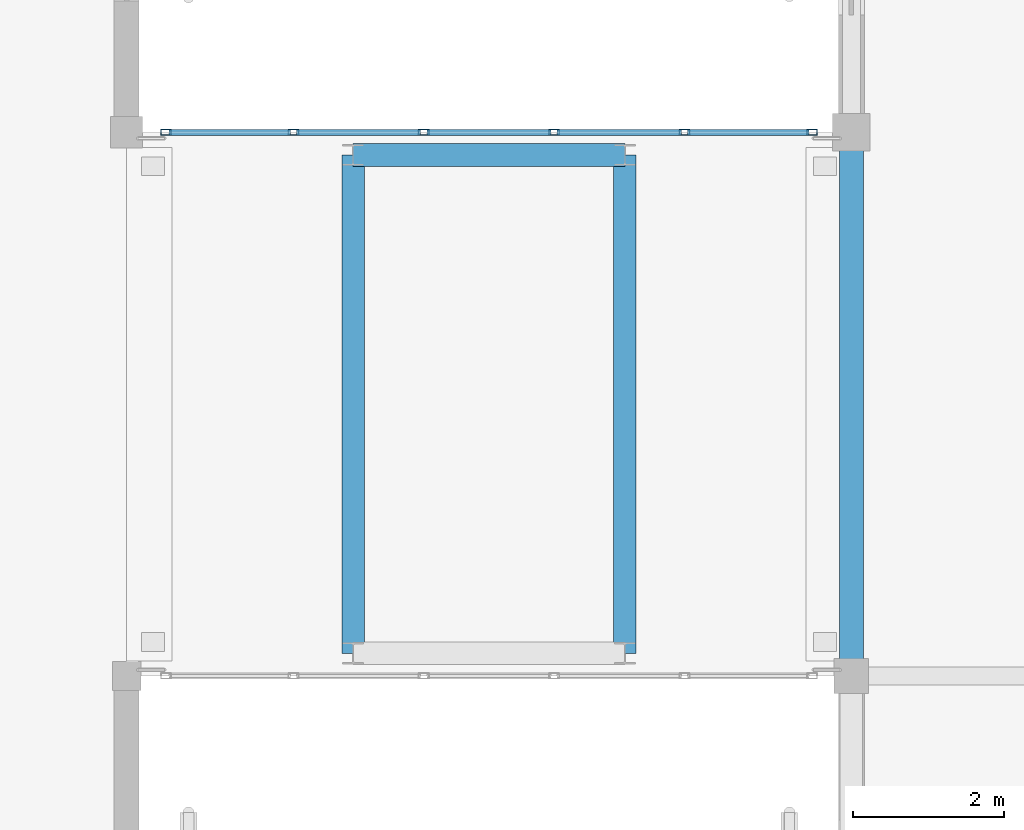
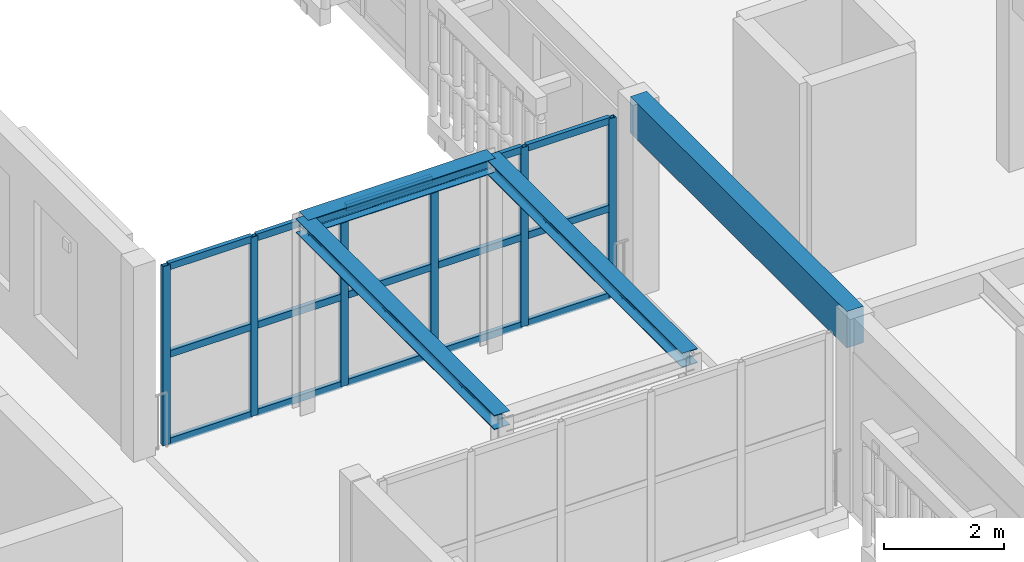
# One storey, part 47 of 217: 21 members, 4 beams, 1 element without a shape of its own.
"""IFC4 building model written with IfcOpenShell, lengths in metres."""

import ifcopenshell
import ifcopenshell.guid

model = None  # the IFC model being written
_history = None  # IfcOwnerHistory: only IFC2X3 demands one
_inside = {}  # id of a spatial element -> (the spatial element, [elements in it])
_under = {}  # id of a project, library or spatial element -> (it, [spatial elements below it])
_declared = {}  # id of a project -> (the project, [libraries it declares])
_typed = {}  # id of a type object -> (the type object, [elements of that type])
_made_of = {}  # id of a material, layer set ... -> (it, [elements and type objects made of it])


def new_model(schema):
    """Start an empty IFC model of exactly this schema.

    Asked for "IFC4X3", IfcOpenShell would pick the latest addendum, in which some entities
    have other attributes; the version numbers below select the first issue.
    IFC2X3 requires an IfcOwnerHistory on every rooted entity: one is made here for all.
    """
    global model, _history
    if schema == "IFC4X3":
        model = ifcopenshell.file(schema_version=(4, 3, 0, 0))
    else:
        model = ifcopenshell.file(schema=schema)
    _inside.clear()
    _under.clear()
    _declared.clear()
    _typed.clear()
    _made_of.clear()
    _history = None
    if model.schema == "IFC2X3":
        org = make("IfcOrganization", Name="unknown")
        user = make(
            "IfcPersonAndOrganization",
            ThePerson=make("IfcPerson", FamilyName="unknown"),
            TheOrganization=org,
        )
        app = make(
            "IfcApplication",
            ApplicationDeveloper=org,
            Version="unknown",
            ApplicationFullName="unknown",
            ApplicationIdentifier="unknown",
        )
        _history = make(
            "IfcOwnerHistory",
            OwningUser=user,
            OwningApplication=app,
            ChangeAction="ADDED",
            CreationDate=0,
        )
    return model


def make(cls, **values):
    """One entity of the class cls with the attributes given. An attribute that is None is left unset."""
    return model.create_entity(
        cls, **{name: value for name, value in values.items() if value is not None}
    )


def rooted(cls, **values):
    """An entity with a GlobalId (a new one), such as an element, a storey or a relation."""
    return make(cls, GlobalId=ifcopenshell.guid.new(), OwnerHistory=_history, **values)


def si_unit(unit_type, name, prefix=None):
    """IfcSIUnit, for example si_unit("LENGTHUNIT", "METRE", prefix="MILLI")."""
    return make("IfcSIUnit", UnitType=unit_type, Prefix=prefix, Name=name)


def assignment(units):
    """IfcUnitAssignment: the units of a project."""
    return None if units is None else make("IfcUnitAssignment", Units=units)


def point(xyz):
    """IfcCartesianPoint."""
    return None if xyz is None else make("IfcCartesianPoint", Coordinates=xyz)


def direction(xyz):
    """IfcDirection."""
    return None if xyz is None else make("IfcDirection", DirectionRatios=xyz)


def frame(location, z_axis=None, x_axis=None):
    """IfcAxis2Placement3D, a coordinate frame: its origin and axes. An axis left out is left unset."""
    return make(
        "IfcAxis2Placement3D",
        Location=point(location),
        Axis=direction(z_axis),
        RefDirection=direction(x_axis),
    )


def frame_2d(location, x_axis=None):
    """IfcAxis2Placement2D, a coordinate frame in the plane: its origin and x axis."""
    return make(
        "IfcAxis2Placement2D", Location=point(location), RefDirection=direction(x_axis)
    )


def origin():
    """The frame at (0, 0, 0) with its axes left unset."""
    return frame((0.0, 0.0, 0.0))


def origin_2d():
    """The frame at (0, 0) in the plane with its x axis left unset."""
    return frame_2d((0.0, 0.0))


def place(relative_to, where):
    """IfcLocalPlacement: puts the frame where relative to a parent placement (None: the world)."""
    return make(
        "IfcLocalPlacement", PlacementRelTo=relative_to, RelativePlacement=where
    )


def context(
    kind, dimensions, precision=None, world=None, true_north=None, identifier=None
):
    """IfcGeometricRepresentationContext, for example the 3D "Model" context."""
    return make(
        "IfcGeometricRepresentationContext",
        ContextIdentifier=identifier,
        ContextType=kind,
        CoordinateSpaceDimension=dimensions,
        Precision=precision,
        WorldCoordinateSystem=world,
        TrueNorth=true_north,
    )


def subcontext(parent, identifier, kind, view, scale=None):
    """IfcGeometricRepresentationSubContext, for example "Body" below "Model"."""
    return make(
        "IfcGeometricRepresentationSubContext",
        ContextIdentifier=identifier,
        ContextType=kind,
        ParentContext=parent,
        TargetScale=scale,
        TargetView=view,
    )


def project(units=None, contexts=None):
    """IfcProject with its units and contexts."""
    return rooted(
        "IfcProject",
        Name="project",
        RepresentationContexts=contexts,
        UnitsInContext=assignment(units),
    )


def spatial(cls, under=None, at=None, **own):
    """A site, building, storey or space (cls), placed at a placement, below another one or the project."""
    s = rooted(cls, ObjectPlacement=at, **own)
    if under is not None:
        _under.setdefault(under.id(), (under, []))[1].append(s)
    return s


def profile(cls, at=None, kind="AREA", **sizes):
    """A parametric profile (cls). Its sizes go by their IFC names, for example OverallWidth=200.0."""
    return make(cls, ProfileType=kind, Position=at, **sizes)


def rectangle(**sizes):
    """IfcRectangleProfileDef."""
    return profile("IfcRectangleProfileDef", **sizes)


def hollow_rectangle(**sizes):
    """IfcRectangleHollowProfileDef."""
    return profile("IfcRectangleHollowProfileDef", **sizes)


def i_section(**sizes):
    """IfcIShapeProfileDef."""
    return profile("IfcIShapeProfileDef", **sizes)


def extrude(swept, where, along, depth):
    """IfcExtrudedAreaSolid: the profile swept, set in the frame where, extruded along a direction by depth."""
    return make(
        "IfcExtrudedAreaSolid",
        SweptArea=swept,
        Position=where,
        ExtrudedDirection=direction(along),
        Depth=depth,
    )


def shape(context_of_items, identifier, shape_type, items):
    """IfcShapeRepresentation: the items that make up one representation, for example the "Body"."""
    return make(
        "IfcShapeRepresentation",
        ContextOfItems=context_of_items,
        RepresentationIdentifier=identifier,
        RepresentationType=shape_type,
        Items=items,
    )


def material(Name=None, Category=None):
    """IfcMaterial."""
    return make("IfcMaterial", Name=Name, Category=Category)


def layer(
    of_material, thickness, ventilated=None, Name=None, Category=None, Priority=None
):
    """IfcMaterialLayer: one layer of a wall or slab, of a material (None: an air gap)."""
    return make(
        "IfcMaterialLayer",
        Material=of_material,
        LayerThickness=thickness,
        IsVentilated=ventilated,
        Name=Name,
        Category=Category,
        Priority=Priority,
    )


def layer_set(layers, Name=None):
    """IfcMaterialLayerSet."""
    return make("IfcMaterialLayerSet", MaterialLayers=layers, LayerSetName=Name)


def material_profile(
    of_material, cross_section, Name=None, Category=None, Priority=None
):
    """IfcMaterialProfile: a cross section and its material."""
    return make(
        "IfcMaterialProfile",
        Name=Name,
        Material=of_material,
        Profile=cross_section,
        Priority=Priority,
        Category=Category,
    )


def profile_set(profiles, Name=None, composite=None):
    """IfcMaterialProfileSet."""
    return make(
        "IfcMaterialProfileSet",
        Name=Name,
        MaterialProfiles=profiles,
        CompositeProfile=composite,
    )


def made_of(thing, what):
    """Note that an element or type object is made of a material, layer set ...; save() writes the relation."""
    if what is not None:
        _made_of.setdefault(what.id(), (what, []))[1].append(thing)
    return thing


def type_object(cls, material=None, **own):
    """A type object (cls), such as IfcWallType, which elements share."""
    return made_of(rooted(cls, **own), material)


def element(
    cls,
    number,
    at=None,
    inside=None,
    cuts=None,
    type_object=None,
    material=None,
    context=None,
    identifier="Body",
    shape_type=None,
    held_by="IfcProductDefinitionShape",
    body=None,
    shapes=None,
    **own,
):
    """One element of the class cls, such as IfcWall. Its Tag is "e" and its number.

    at: its placement. inside: the storey or other place that contains it. cuts: it is an
    opening in that element (IfcRelVoidsElement). A single representation is given by context,
    identifier, shape_type and body (its items); several are given by shapes. held_by: the class
    of the entity that holds the representations. save() writes the other relations.
    """
    e = rooted(cls, Tag="e%d" % number, ObjectPlacement=at, **own)
    if body is not None:
        shapes = [shape(context, identifier, shape_type, body)]
    if shapes is not None:
        e.Representation = make(held_by, Representations=shapes)
    if inside is not None:
        _inside.setdefault(inside.id(), (inside, []))[1].append(e)
    if cuts is not None:
        rooted(
            "IfcRelVoidsElement", RelatingBuildingElement=cuts, RelatedOpeningElement=e
        )
    if type_object is not None:
        _typed.setdefault(type_object.id(), (type_object, []))[1].append(e)
    return made_of(e, material)


def aggregate(whole, parts):
    """IfcRelAggregates: a whole, such as a stair, and the parts it consists of."""
    return rooted("IfcRelAggregates", RelatingObject=whole, RelatedObjects=parts)


def save(model, path):
    """Write the relations noted so far, then the file.

    IfcRelAggregates (storeys below a building ...), IfcRelContainedInSpatialStructure (elements
    in a storey), IfcRelDefinesByType, IfcRelAssociatesMaterial and IfcRelDeclares: one each for
    every whole, place, type object, material and project.
    """
    for whole, parts in _under.values():
        aggregate(whole, parts)
    for where, things in _inside.values():
        rooted(
            "IfcRelContainedInSpatialStructure",
            RelatedElements=things,
            RelatingStructure=where,
        )
    for kind, things in _typed.values():
        rooted("IfcRelDefinesByType", RelatedObjects=things, RelatingType=kind)
    for what, things in _made_of.values():
        rooted("IfcRelAssociatesMaterial", RelatedObjects=things, RelatingMaterial=what)
    for by, libraries in _declared.values():
        rooted("IfcRelDeclares", RelatingContext=by, RelatedDefinitions=libraries)
    model.write(path)


model = new_model("IFC4")

# Units and contexts
model_context = context("Model", 3, precision=1e-05, world=origin(), true_north=direction((0.0, 1.0)))
body_context = subcontext(model_context, "Body", "Model", "MODEL_VIEW")
ifc_project = project(units=[si_unit("LENGTHUNIT", "METRE"), si_unit("AREAUNIT", "SQUARE_METRE"), si_unit("VOLUMEUNIT", "CUBIC_METRE"), si_unit("PLANEANGLEUNIT", "RADIAN"), si_unit("MASSUNIT", "GRAM", prefix="KILO")], contexts=[model_context])

# Site, building, storey
site_placement = place(None, origin())
site = spatial("IfcSite", under=ifc_project, at=site_placement, CompositionType="ELEMENT")
building_placement = place(site_placement, origin())
building = spatial("IfcBuilding", under=site, at=building_placement, Name="Mazaris Harbour Polytechnic", CompositionType="ELEMENT")
storey_placement = place(building_placement, frame((0.0, 0.0, 9.60009765625)))
storey = spatial("IfcBuildingStorey", under=building, at=storey_placement, Name="L02", CompositionType="ELEMENT", Elevation=9.60009765625)

# Curtain wall, members
ifc_material_1 = material(Name="Anodised Bronze Aluminium and Low-E Glass", Category="aluminium")
ifc_layer = layer(ifc_material_1, 0.139892578125, Name="Anodised Bronze Aluminium and Low-E Glass")
ifc_layer_set = layer_set([ifc_layer], Name="Anodised Bronze Aluminium and Low-E Glass")
curtain_wall_type = type_object("IfcCurtainWallType", Name="Seismic Link Bridge Glazing", PredefinedType="NOTDEFINED", material=ifc_layer_set)
curtain_wall_placement = place(storey_placement, origin())
curtain_wall = element("IfcCurtainWall", 1, at=curtain_wall_placement, inside=storey, type_object=curtain_wall_type, Name="PB-E1 L02 Bridge Glazing", PredefinedType="NOTDEFINED")
ifc_material_2 = material(Name="Anodised Bronze Steel S355", Category="steel")
ifc_material_profile_1 = material_profile(ifc_material_2, hollow_rectangle(XDim=0.080078125, YDim=0.139892578125, WallThickness=0.00634765625, at=origin_2d()), Name="RHS 80x140x6.3")
ifc_profile_set_1 = profile_set([ifc_material_profile_1], Name="Anodised Bronze Steel S355")
member_type_1 = type_object("IfcMemberType", Name="Curtain Mullion RHS80x140", PredefinedType="MULLION", material=ifc_profile_set_1)
member_1_placement = place(storey_placement, frame((121.8798828125, 28.800048828125, 0.0), z_axis=(0.0, 0.0, 1.0), x_axis=(0.0, -1.0, 0.0)))
member_1 = element("IfcMember", 2, at=member_1_placement, type_object=member_type_1, Name="CW-05 mullion 1", PredefinedType="MULLION", context=body_context, shape_type="SweptSolid", body=[
    extrude(hollow_rectangle(XDim=0.080078125, YDim=0.139892578125, WallThickness=0.00634765625, at=origin_2d()), origin(), (0.0, 0.0, 1.0), 3.635009765625),
])
member_2_placement = place(storey_placement, frame((120.19189453125, 28.800048828125, 0.0), z_axis=(0.0, 0.0, 1.0), x_axis=(0.0, -1.0, 0.0)))
member_2 = element("IfcMember", 3, at=member_2_placement, type_object=member_type_1, Name="CW-05 mullion 2", PredefinedType="MULLION", context=body_context, shape_type="SweptSolid", body=[
    extrude(hollow_rectangle(XDim=0.080078125, YDim=0.139892578125, WallThickness=0.00634765625, at=origin_2d()), origin(), (0.0, 0.0, 1.0), 3.635009765625),
])
member_3_placement = place(storey_placement, frame((118.464111328125, 28.800048828125, 0.0), z_axis=(0.0, 0.0, 1.0), x_axis=(0.0, -1.0, 0.0)))
member_3 = element("IfcMember", 4, at=member_3_placement, type_object=member_type_1, Name="CW-05 mullion 3", PredefinedType="MULLION", context=body_context, shape_type="SweptSolid", body=[
    extrude(hollow_rectangle(XDim=0.080078125, YDim=0.139892578125, WallThickness=0.00634765625, at=origin_2d()), origin(), (0.0, 0.0, 1.0), 3.635009765625),
])
member_4_placement = place(storey_placement, frame((116.736083984375, 28.800048828125, 0.0), z_axis=(0.0, 0.0, 1.0), x_axis=(0.0, -1.0, 0.0)))
member_4 = element("IfcMember", 5, at=member_4_placement, type_object=member_type_1, Name="CW-05 mullion 4", PredefinedType="MULLION", context=body_context, shape_type="SweptSolid", body=[
    extrude(hollow_rectangle(XDim=0.080078125, YDim=0.139892578125, WallThickness=0.00634765625, at=origin_2d()), origin(), (0.0, 0.0, 1.0), 3.635009765625),
])
member_5_placement = place(storey_placement, frame((115.008056640625, 28.800048828125, 0.0), z_axis=(0.0, 0.0, 1.0), x_axis=(0.0, -1.0, 0.0)))
member_5 = element("IfcMember", 6, at=member_5_placement, type_object=member_type_1, Name="CW-05 mullion 5", PredefinedType="MULLION", context=body_context, shape_type="SweptSolid", body=[
    extrude(hollow_rectangle(XDim=0.080078125, YDim=0.139892578125, WallThickness=0.00634765625, at=origin_2d()), origin(), (0.0, 0.0, 1.0), 3.635009765625),
])
member_6_placement = place(storey_placement, frame((113.320068359375, 28.800048828125, 0.0), z_axis=(0.0, 0.0, 1.0), x_axis=(0.0, -1.0, 0.0)))
member_6 = element("IfcMember", 7, at=member_6_placement, type_object=member_type_1, Name="CW-05 mullion 6", PredefinedType="MULLION", context=body_context, shape_type="SweptSolid", body=[
    extrude(hollow_rectangle(XDim=0.080078125, YDim=0.139892578125, WallThickness=0.00634765625, at=origin_2d()), origin(), (0.0, 0.0, 1.0), 3.635009765625),
])
ifc_material_3 = material(Name="Anodised Bronze Steel S355", Category="steel")
ifc_material_profile_2 = material_profile(ifc_material_3, hollow_rectangle(XDim=0.080078125, YDim=0.139892578125, WallThickness=0.00634765625, at=origin_2d()), Name="RHS 80x140x6.3")
ifc_profile_set_2 = profile_set([ifc_material_profile_2], Name="Anodised Bronze Steel S355")
member_type_2 = type_object("IfcMemberType", Name="Curtain Transom RHS80x140", PredefinedType="USERDEFINED", material=ifc_profile_set_2)
member_7_placement = place(storey_placement, frame((121.840087890625, 28.800048828125, 0.039794921875), z_axis=(-1.0, 0.0, 0.0), x_axis=(0.0, -1.0, 0.0)))
member_7 = element("IfcMember", 8, at=member_7_placement, type_object=member_type_2, Name="CW-05 transom 1.1", ObjectType="TRANSOM", PredefinedType="USERDEFINED", context=body_context, shape_type="SweptSolid", body=[
    extrude(hollow_rectangle(XDim=0.080078125, YDim=0.139892578125, WallThickness=0.00634765625, at=origin_2d()), origin(), (0.0, 0.0, 1.0), 1.608154296875),
])
member_8_placement = place(storey_placement, frame((121.840087890625, 28.800048828125, 1.8173828125), z_axis=(-1.0, 0.0, 0.0), x_axis=(0.0, -1.0, 0.0)))
member_8 = element("IfcMember", 9, at=member_8_placement, type_object=member_type_2, Name="CW-05 transom 1.2", ObjectType="TRANSOM", PredefinedType="USERDEFINED", context=body_context, shape_type="SweptSolid", body=[
    extrude(hollow_rectangle(XDim=0.080078125, YDim=0.139892578125, WallThickness=0.00634765625, at=origin_2d()), origin(), (0.0, 0.0, 1.0), 1.608154296875),
])
member_9_placement = place(storey_placement, frame((121.840087890625, 28.800048828125, 3.594970703125), z_axis=(-1.0, 0.0, 0.0), x_axis=(0.0, -1.0, 0.0)))
member_9 = element("IfcMember", 10, at=member_9_placement, type_object=member_type_2, Name="CW-05 transom 1.3", ObjectType="TRANSOM", PredefinedType="USERDEFINED", context=body_context, shape_type="SweptSolid", body=[
    extrude(hollow_rectangle(XDim=0.080078125, YDim=0.139892578125, WallThickness=0.00634765625, at=origin_2d()), origin(), (0.0, 0.0, 1.0), 1.608154296875),
])
member_10_placement = place(storey_placement, frame((120.152099609375, 28.800048828125, 0.039794921875), z_axis=(-1.0, 0.0, 0.0), x_axis=(0.0, -1.0, 0.0)))
member_10 = element("IfcMember", 11, at=member_10_placement, type_object=member_type_2, Name="CW-05 transom 2.1", ObjectType="TRANSOM", PredefinedType="USERDEFINED", context=body_context, shape_type="SweptSolid", body=[
    extrude(hollow_rectangle(XDim=0.080078125, YDim=0.139892578125, WallThickness=0.00634765625, at=origin_2d()), origin(), (0.0, 0.0, 1.0), 1.648193359375),
])
member_11_placement = place(storey_placement, frame((120.152099609375, 28.800048828125, 1.8173828125), z_axis=(-1.0, 0.0, 0.0), x_axis=(0.0, -1.0, 0.0)))
member_11 = element("IfcMember", 12, at=member_11_placement, type_object=member_type_2, Name="CW-05 transom 2.2", ObjectType="TRANSOM", PredefinedType="USERDEFINED", context=body_context, shape_type="SweptSolid", body=[
    extrude(hollow_rectangle(XDim=0.080078125, YDim=0.139892578125, WallThickness=0.00634765625, at=origin_2d()), origin(), (0.0, 0.0, 1.0), 1.648193359375),
])
member_12_placement = place(storey_placement, frame((120.152099609375, 28.800048828125, 3.594970703125), z_axis=(-1.0, 0.0, 0.0), x_axis=(0.0, -1.0, 0.0)))
member_12 = element("IfcMember", 13, at=member_12_placement, type_object=member_type_2, Name="CW-05 transom 2.3", ObjectType="TRANSOM", PredefinedType="USERDEFINED", context=body_context, shape_type="SweptSolid", body=[
    extrude(hollow_rectangle(XDim=0.080078125, YDim=0.139892578125, WallThickness=0.00634765625, at=origin_2d()), origin(), (0.0, 0.0, 1.0), 1.648193359375),
])
member_13_placement = place(storey_placement, frame((118.424072265625, 28.800048828125, 0.039794921875), z_axis=(-1.0, 0.0, 0.0), x_axis=(0.0, -1.0, 0.0)))
member_13 = element("IfcMember", 14, at=member_13_placement, type_object=member_type_2, Name="CW-05 transom 3.1", ObjectType="TRANSOM", PredefinedType="USERDEFINED", context=body_context, shape_type="SweptSolid", body=[
    extrude(hollow_rectangle(XDim=0.080078125, YDim=0.139892578125, WallThickness=0.00634765625, at=origin_2d()), origin(), (0.0, 0.0, 1.0), 1.648193359375),
])
member_14_placement = place(storey_placement, frame((118.424072265625, 28.800048828125, 1.8173828125), z_axis=(-1.0, 0.0, 0.0), x_axis=(0.0, -1.0, 0.0)))
member_14 = element("IfcMember", 15, at=member_14_placement, type_object=member_type_2, Name="CW-05 transom 3.2", ObjectType="TRANSOM", PredefinedType="USERDEFINED", context=body_context, shape_type="SweptSolid", body=[
    extrude(hollow_rectangle(XDim=0.080078125, YDim=0.139892578125, WallThickness=0.00634765625, at=origin_2d()), origin(), (0.0, 0.0, 1.0), 1.648193359375),
])
member_15_placement = place(storey_placement, frame((118.424072265625, 28.800048828125, 3.594970703125), z_axis=(-1.0, 0.0, 0.0), x_axis=(0.0, -1.0, 0.0)))
member_15 = element("IfcMember", 16, at=member_15_placement, type_object=member_type_2, Name="CW-05 transom 3.3", ObjectType="TRANSOM", PredefinedType="USERDEFINED", context=body_context, shape_type="SweptSolid", body=[
    extrude(hollow_rectangle(XDim=0.080078125, YDim=0.139892578125, WallThickness=0.00634765625, at=origin_2d()), origin(), (0.0, 0.0, 1.0), 1.648193359375),
])
member_16_placement = place(storey_placement, frame((116.696044921875, 28.800048828125, 0.039794921875), z_axis=(-1.0, 0.0, 0.0), x_axis=(0.0, -1.0, 0.0)))
member_16 = element("IfcMember", 17, at=member_16_placement, type_object=member_type_2, Name="CW-05 transom 4.1", ObjectType="TRANSOM", PredefinedType="USERDEFINED", context=body_context, shape_type="SweptSolid", body=[
    extrude(hollow_rectangle(XDim=0.080078125, YDim=0.139892578125, WallThickness=0.00634765625, at=origin_2d()), origin(), (0.0, 0.0, 1.0), 1.64794921875),
])
member_17_placement = place(storey_placement, frame((116.696044921875, 28.800048828125, 1.8173828125), z_axis=(-1.0, 0.0, 0.0), x_axis=(0.0, -1.0, 0.0)))
member_17 = element("IfcMember", 18, at=member_17_placement, type_object=member_type_2, Name="CW-05 transom 4.2", ObjectType="TRANSOM", PredefinedType="USERDEFINED", context=body_context, shape_type="SweptSolid", body=[
    extrude(hollow_rectangle(XDim=0.080078125, YDim=0.139892578125, WallThickness=0.00634765625, at=origin_2d()), origin(), (0.0, 0.0, 1.0), 1.64794921875),
])
member_18_placement = place(storey_placement, frame((116.696044921875, 28.800048828125, 3.594970703125), z_axis=(-1.0, 0.0, 0.0), x_axis=(0.0, -1.0, 0.0)))
member_18 = element("IfcMember", 19, at=member_18_placement, type_object=member_type_2, Name="CW-05 transom 4.3", ObjectType="TRANSOM", PredefinedType="USERDEFINED", context=body_context, shape_type="SweptSolid", body=[
    extrude(hollow_rectangle(XDim=0.080078125, YDim=0.139892578125, WallThickness=0.00634765625, at=origin_2d()), origin(), (0.0, 0.0, 1.0), 1.64794921875),
])
member_19_placement = place(storey_placement, frame((114.968017578125, 28.800048828125, 0.039794921875), z_axis=(-1.0, 0.0, 0.0), x_axis=(0.0, -1.0, 0.0)))
member_19 = element("IfcMember", 20, at=member_19_placement, type_object=member_type_2, Name="CW-05 transom 5.1", ObjectType="TRANSOM", PredefinedType="USERDEFINED", context=body_context, shape_type="SweptSolid", body=[
    extrude(hollow_rectangle(XDim=0.080078125, YDim=0.139892578125, WallThickness=0.00634765625, at=origin_2d()), origin(), (0.0, 0.0, 1.0), 1.60791015625),
])
member_20_placement = place(storey_placement, frame((114.968017578125, 28.800048828125, 1.8173828125), z_axis=(-1.0, 0.0, 0.0), x_axis=(0.0, -1.0, 0.0)))
member_20 = element("IfcMember", 21, at=member_20_placement, type_object=member_type_2, Name="CW-05 transom 5.2", ObjectType="TRANSOM", PredefinedType="USERDEFINED", context=body_context, shape_type="SweptSolid", body=[
    extrude(hollow_rectangle(XDim=0.080078125, YDim=0.139892578125, WallThickness=0.00634765625, at=origin_2d()), origin(), (0.0, 0.0, 1.0), 1.60791015625),
])
member_21_placement = place(storey_placement, frame((114.968017578125, 28.800048828125, 3.594970703125), z_axis=(-1.0, 0.0, 0.0), x_axis=(0.0, -1.0, 0.0)))
member_21 = element("IfcMember", 22, at=member_21_placement, type_object=member_type_2, Name="CW-05 transom 5.3", ObjectType="TRANSOM", PredefinedType="USERDEFINED", context=body_context, shape_type="SweptSolid", body=[
    extrude(hollow_rectangle(XDim=0.080078125, YDim=0.139892578125, WallThickness=0.00634765625, at=origin_2d()), origin(), (0.0, 0.0, 1.0), 1.60791015625),
])
aggregate(curtain_wall, [member_1, member_2, member_3, member_4, member_5, member_6, member_7, member_8, member_9, member_10, member_11, member_12, member_13, member_14, member_15, member_16, member_17, member_18, member_19, member_20, member_21])

# Beams
ifc_material_4 = material(Name="Glulam GL32h", Category="wood")
ifc_material_profile_3 = material_profile(ifc_material_4, rectangle(XDim=0.320068359375, YDim=0.739990234375, at=origin_2d()), Name="RECT320x740")
ifc_profile_set_3 = profile_set([ifc_material_profile_3], Name="Glulam GL32h")
beam_type_1 = type_object("IfcBeamType", Name="Glulam Girder 320x740 Exterior", PredefinedType="BEAM", material=ifc_profile_set_3)
beam_1_placement = place(storey_placement, frame((122.39990234375, 21.60009765625, 3.5498046875), z_axis=(0.0, 1.0, 0.0), x_axis=(-1.0, 0.0, 0.0)))
element("IfcBeam", 23, at=beam_1_placement, inside=storey, type_object=beam_type_1, Name="V2 L02 Tie Girder 674", PredefinedType="BEAM", context=body_context, shape_type="SweptSolid", body=[
    extrude(rectangle(XDim=0.320068359375, YDim=0.739990234375, at=origin_2d()), origin(), (0.0, 0.0, 1.0), 7.199951171875),
])
ifc_material_5 = material(Name="Steel S355", Category="steel")
ifc_material_profile_4 = material_profile(ifc_material_5, i_section(OverallWidth=0.300048828125, OverallDepth=0.2900390625, WebThickness=0.008544921875, FlangeThickness=0.013916015625, FilletRadius=0.027099609375, at=origin_2d()), Name="HEA 300")
ifc_profile_set_4 = profile_set([ifc_material_profile_4], Name="Steel S355")
beam_type_2 = type_object("IfcBeamType", Name="Steel Beam HEA300 Exterior", PredefinedType="SPANDREL", material=ifc_profile_set_4)
for number, where, z_axis, x_axis, name in (
    (24, (115.800048828125, 21.89990234375, 3.789794921875), (0.0, 1.0, 0.0), (-1.0, 0.0, 0.0), "PB-E1 L02 Bridge Beam 3448"),
    (25, (119.39990234375, 21.89990234375, 3.789794921875), (0.0, 1.0, 0.0), (-1.0, 0.0, 0.0), "PB-E1 L02 Bridge Beam 3449"),
):
    element("IfcBeam", number, at=place(storey_placement, frame(where, z_axis=z_axis, x_axis=x_axis)), inside=storey, type_object=beam_type_2, Name=name, PredefinedType="SPANDREL", context=body_context, shape_type="SweptSolid", body=[
        extrude(i_section(OverallWidth=0.300048828125, OverallDepth=0.2900390625, WebThickness=0.008544921875, FlangeThickness=0.013916015625, FilletRadius=0.027099609375, at=origin_2d()), origin(), (0.0, 0.0, 1.0), 6.60009765625),
    ])
beam_2_placement = place(storey_placement, frame((115.800048828125, 28.5, 3.789794921875), z_axis=(1.0, 0.0, 0.0), x_axis=(0.0, 1.0, 0.0)))
element("IfcBeam", 26, at=beam_2_placement, inside=storey, type_object=beam_type_2, Name="PB-E1 L02 Bridge Beam 3450", PredefinedType="SPANDREL", context=body_context, shape_type="SweptSolid", body=[
    extrude(i_section(OverallWidth=0.300048828125, OverallDepth=0.2900390625, WebThickness=0.008544921875, FlangeThickness=0.013916015625, FilletRadius=0.027099609375, at=origin_2d()), origin(), (0.0, 0.0, 1.0), 3.599853515625),
])

save(model, "model.ifc")
